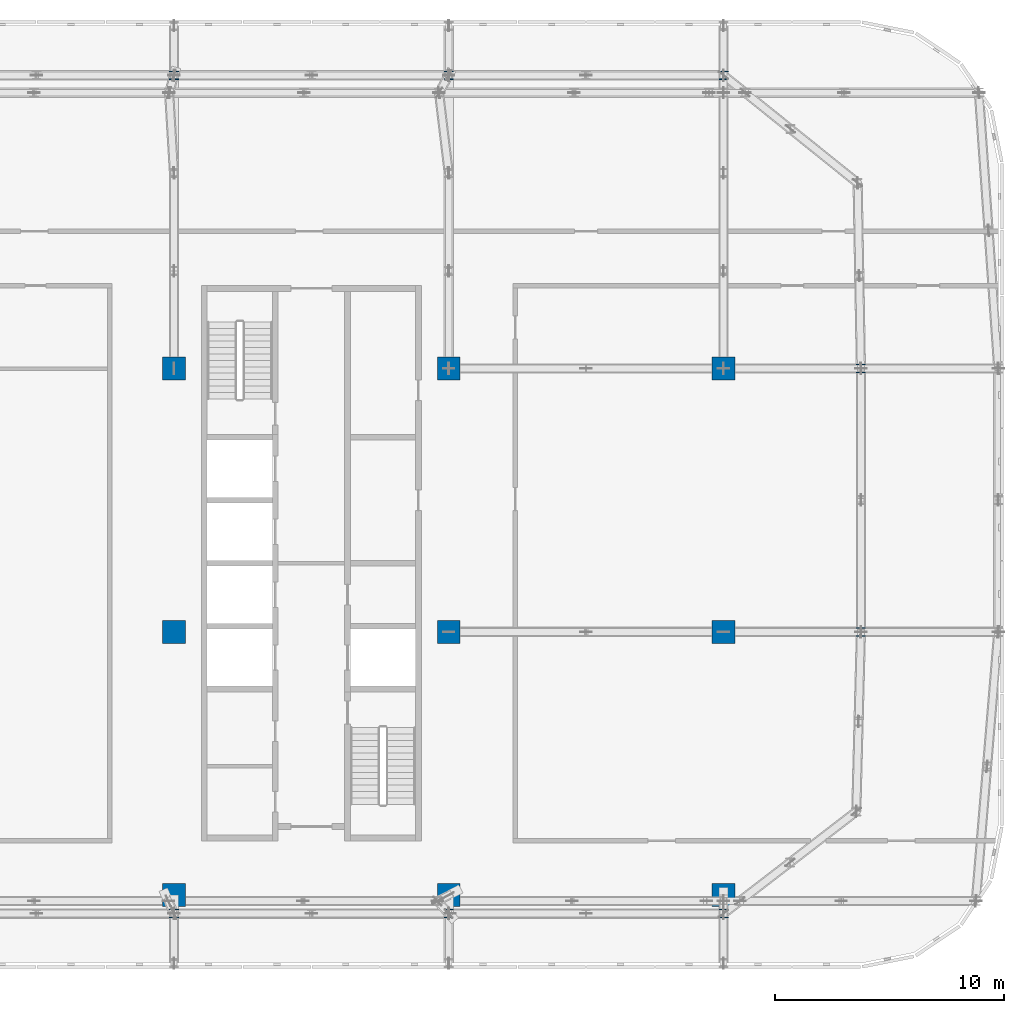
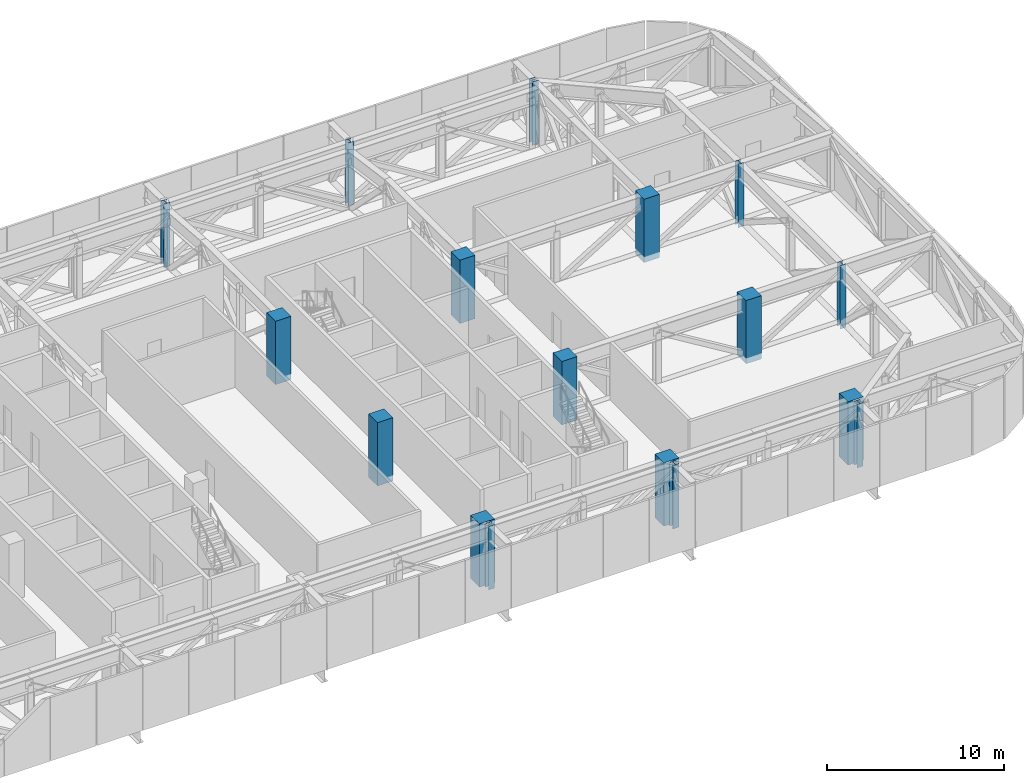
# One storey, part 3 of 29: 17 columns.
"""IFC4 building model written with IfcOpenShell, lengths in metres."""

from ifc_helpers import new_model, si_unit, direction, frame, origin, origin_2d, place, context, subcontext, project, spatial, rectangle, i_section, extrude, material, material_profile, profile_set, type_object, element, save


model = new_model("IFC4")

# Units and contexts
model_context = context("Model", 3, precision=1e-05, world=origin(), true_north=direction((0.0, 1.0)))
body_context = subcontext(model_context, "Body", "Model", "MODEL_VIEW")
ifc_project = project(units=[si_unit("LENGTHUNIT", "METRE"), si_unit("AREAUNIT", "SQUARE_METRE"), si_unit("VOLUMEUNIT", "CUBIC_METRE"), si_unit("PLANEANGLEUNIT", "RADIAN"), si_unit("MASSUNIT", "GRAM", prefix="KILO")], contexts=[model_context])

# Site, building, storey
site_placement = place(None, origin())
site = spatial("IfcSite", under=ifc_project, at=site_placement, CompositionType="ELEMENT")
building_placement = place(site_placement, origin())
building = spatial("IfcBuilding", under=site, at=building_placement, Name="Mahtab Terrace Research Tower", CompositionType="ELEMENT")
storey_placement = place(building_placement, frame((0.0, 0.0, 259.0)))
storey = spatial("IfcBuildingStorey", under=building, at=storey_placement, Name="L63", CompositionType="ELEMENT", Elevation=259.0)

# Columns
ifc_material_1 = material(Name="Concrete C70/85", Category="concrete")
ifc_material_profile_1 = material_profile(ifc_material_1, rectangle(XDim=1.0, YDim=1.0, at=origin_2d()), Name="RC column 1000x1000")
ifc_profile_set_1 = profile_set([ifc_material_profile_1], Name="Concrete C70/85")
column_type_1 = type_object("IfcColumnType", Name="RC column 1000x1000", PredefinedType="COLUMN", material=ifc_profile_set_1)
for number, where, z_axis, x_axis, name in (
    (1, (18.0, -11.5, -0.39990234375), (0.0, 0.0, 1.0), (1.0, 0.0, 0.0), "Column RC-6A L63"),
    (2, (18.0, 0.0, -0.39990234375), (0.0, 0.0, 1.0), (1.0, 0.0, 0.0), "Column RC-6B L63"),
    (3, (18.0, 11.5, -0.39990234375), (0.0, 0.0, 1.0), (1.0, 0.0, 0.0), "Column RC-6C L63"),
    (4, (30.0, -11.5, -0.39990234375), (0.0, 0.0, 1.0), (1.0, 0.0, 0.0), "Column RC-7A L63"),
    (5, (30.0, 0.0, -0.39990234375), (0.0, 0.0, 1.0), (1.0, 0.0, 0.0), "Column RC-7B L63"),
    (6, (30.0, 11.5, -0.39990234375), (0.0, 0.0, 1.0), (1.0, 0.0, 0.0), "Column RC-7C L63"),
    (7, (42.0, -11.5, -0.39990234375), (0.0, 0.0, 1.0), (1.0, 0.0, 0.0), "Column RC-8A L63"),
    (8, (42.0, 0.0, -0.39990234375), (0.0, 0.0, 1.0), (1.0, 0.0, 0.0), "Column RC-8B L63"),
    (9, (42.0, 11.5, -0.39990234375), (0.0, 0.0, 1.0), (1.0, 0.0, 0.0), "Column RC-8C L63"),
):
    element("IfcColumn", number, at=place(storey_placement, frame(where, z_axis=z_axis, x_axis=x_axis)), inside=storey, type_object=column_type_1, Name=name, PredefinedType="COLUMN", context=body_context, shape_type="SweptSolid", body=[
        extrude(rectangle(XDim=1.0, YDim=1.0, at=origin_2d()), origin(), (0.0, 0.0, 1.0), 4.35986328125),
    ])
ifc_material_2 = material(Name="Steel ASTM A992 Gr 50", Category="steel")
ifc_material_profile_2 = material_profile(ifc_material_2, i_section(OverallWidth=0.393798828125, OverallDepth=0.3759765625, WebThickness=0.017333984375, FlangeThickness=0.027587890625, at=origin_2d()), Name="W14X145")
ifc_profile_set_2 = profile_set([ifc_material_profile_2], Name="Steel ASTM A992 Gr 50")
column_type_2 = type_object("IfcColumnType", Name="W14x145 column CS14145", PredefinedType="COLUMN", material=ifc_profile_set_2)
for number, where, z_axis, x_axis, name in (
    (10, (42.0, 24.306884765625, -0.39990234375), (0.0, 0.0, 1.0), (1.0, 0.0, 0.0), "Column SC-071 L63"),
    (11, (30.0, 24.306884765625, -0.39990234375), (0.0, 0.0, 1.0), (1.0, 0.0, 0.0), "Column SC-072 L63"),
    (12, (18.0, 24.306884765625, -0.39990234375), (0.0, 0.0, 1.0), (1.0, 0.0, 0.0), "Column SC-073 L63"),
    (13, (18.0, -12.306884765625, -0.39990234375), (0.0, 0.0, 1.0), (1.0, 0.0, 0.0), "Column SC-086 L63"),
    (14, (30.0, -12.306884765625, -0.39990234375), (0.0, 0.0, 1.0), (1.0, 0.0, 0.0), "Column SC-087 L63"),
    (15, (42.0, -12.306884765625, -0.39990234375), (0.0, 0.0, 1.0), (1.0, 0.0, 0.0), "Column SC-088 L63"),
    (16, (48.0, 0.0, -0.39990234375), (0.0, 0.0, 1.0), (1.0, 0.0, 0.0), "Column SC-021 L63"),
    (17, (48.0, 11.5, -0.39990234375), (0.0, 0.0, 1.0), (1.0, 0.0, 0.0), "Column SC-022 L63"),
):
    element("IfcColumn", number, at=place(storey_placement, frame(where, z_axis=z_axis, x_axis=x_axis)), inside=storey, type_object=column_type_2, Name=name, PredefinedType="COLUMN", context=body_context, shape_type="SweptSolid", body=[
        extrude(i_section(OverallWidth=0.393798828125, OverallDepth=0.3759765625, WebThickness=0.017333984375, FlangeThickness=0.027587890625, at=origin_2d()), origin(), (0.0, 0.0, 1.0), 4.35986328125),
    ])

save(model, "model.ifc")
